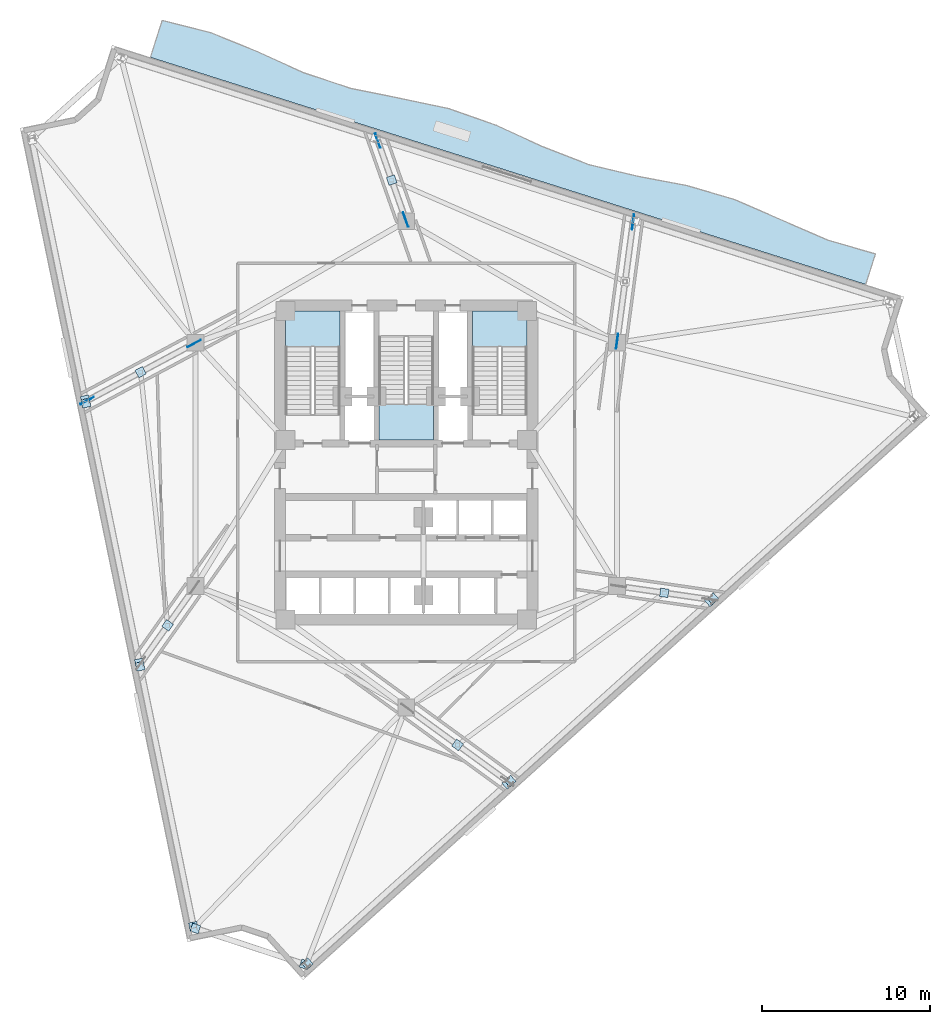
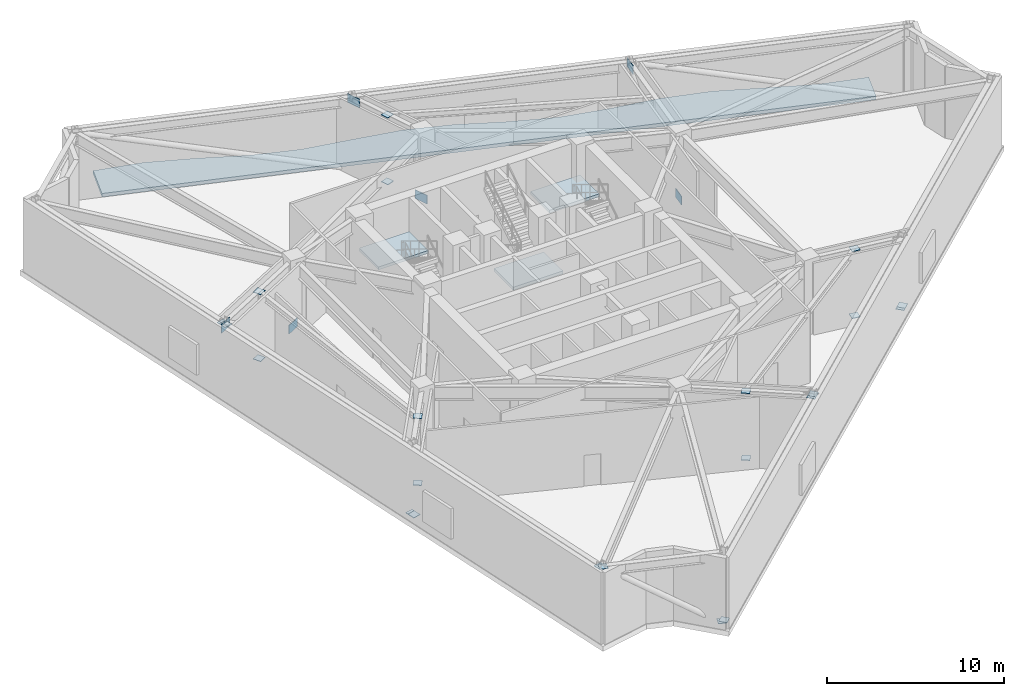
# One storey, part 10 of 16: 28 plates, 4 slabs, 3 elements without a shape of their own.
"""IFC4 building model written with IfcOpenShell, lengths in metres."""

from ifc_helpers import new_model, si_unit, direction, frame, origin, origin_2d, place, context, subcontext, project, spatial, polyline, rectangle, outline, extrude, material, layer, layer_set, type_object, element, aggregate, save


model = new_model("IFC4")

# Units and contexts
model_context = context("Model", 3, precision=1e-05, world=origin(), true_north=direction((0.0, 1.0)))
body_context = subcontext(model_context, "Body", "Model", "MODEL_VIEW")
ifc_project = project(units=[si_unit("LENGTHUNIT", "METRE"), si_unit("AREAUNIT", "SQUARE_METRE"), si_unit("VOLUMEUNIT", "CUBIC_METRE"), si_unit("PLANEANGLEUNIT", "RADIAN"), si_unit("MASSUNIT", "GRAM", prefix="KILO")], contexts=[model_context])

# Site, building, storey
site_placement = place(None, origin())
site = spatial("IfcSite", under=ifc_project, at=site_placement, CompositionType="ELEMENT")
building_placement = place(site_placement, origin())
building = spatial("IfcBuilding", under=site, at=building_placement, Name="Apsidion Concourse Tower", CompositionType="ELEMENT")
storey_placement = place(building_placement, frame((0.0, 0.0, 227.0)))
storey = spatial("IfcBuildingStorey", under=building, at=storey_placement, Name="L53", CompositionType="ELEMENT", Elevation=227.0)

# Plates
ifc_material_1 = material(Name="Structural steel ASTM A572 Grade 50", Category="steel")
ifc_layer_1 = layer(ifc_material_1, 0.034912109375)
ifc_layer_set_1 = layer_set([ifc_layer_1], Name="Structural steel ASTM A572 Grade 50")
plate_type_1 = type_object("IfcPlateType", Name="PL-ENDCAP-35", PredefinedType="USERDEFINED", material=ifc_layer_set_1)
for number, where, z_axis, x_axis, name in (
    (1, (-14.224365234375, -9.596923828125, 0.22265625), (0.0, 0.0, 1.0), (0.578427255041, 0.815733970499, 0.0), "L53 Outrigger Strut Base End-Cap Plate CAPA-01"),
    (2, (-14.224365234375, -9.596923828125, 4.83251953125), (0.0, 0.0, 1.0), (0.578427255041, 0.815733970499, 0.0), "L53 Outrigger Strut Top End-Cap Plate CAPB-01"),
    (3, (15.385498046875, -7.65966796875, 0.22265625), (0.0, 0.0, 1.0), (-0.98965138682, 0.143492621991, 0.0), "L53 Outrigger Strut Base End-Cap Plate CAPA-02"),
    (4, (15.385498046875, -7.65966796875, 4.83251953125), (0.0, 0.0, 1.0), (-0.98965138682, 0.143492621991, 0.0), "L53 Outrigger Strut Top End-Cap Plate CAPB-02"),
    (5, (-0.86669921875, 16.9501953125, 0.22265625), (0.0, 0.0, 1.0), (-0.33347779495, 0.942757954236, 0.0), "L53 Outrigger Strut Base End-Cap Plate CAPA-04"),
    (6, (-0.86669921875, 16.9501953125, 4.83251953125), (0.0, 0.0, 1.0), (-0.33347779495, 0.942757954236, 0.0), "L53 Outrigger Strut Top End-Cap Plate CAPB-04"),
    (7, (-15.83642578125, 5.500732421875, 0.22265625), (0.0, 0.0, 1.0), (0.882126866018, 0.471011881219, 0.0), "L53 Outrigger Strut Base End-Cap Plate CAPA-05"),
    (8, (-15.83642578125, 5.500732421875, 4.83251953125), (0.0, 0.0, 1.0), (0.882126866018, 0.471011881219, 0.0), "L53 Outrigger Strut Top End-Cap Plate CAPB-05"),
    (9, (3.060791015625, -16.7275390625, 0.22265625), (0.0, 0.0, 1.0), (-0.808606445738, 0.588349909417, 0.0), "L53 Outrigger Strut Base End-Cap Plate CAPA-06"),
    (10, (3.060791015625, -16.7275390625, 4.83251953125), (0.0, 0.0, 1.0), (-0.808606445738, 0.588349909417, 0.0), "L53 Outrigger Strut Top End-Cap Plate CAPB-06"),
    (11, (-19.133056640625, 3.849365234375, 4.83251953125), (0.0, 0.0, 1.0), (-0.201248886216, 0.979540139962, 0.0), "L53 Belt-Truss Top End Plate BTP-01B"),
    (12, (-15.90869140625, -11.845703125, 0.1025390625), (0.0, 0.0, 1.0), (-0.201248886216, 0.979540139962, 0.0), "L53 Belt-Truss Base End Plate BTP-02A"),
    (13, (-19.0927734375, 3.6533203125, 4.83251953125), (0.0, 0.0, 1.0), (-0.201248886216, 0.979540139962, 0.0), "L53 Belt-Truss Top End Plate BTP-02B"),
    (14, (-15.86865234375, -12.041748046875, 0.1025390625), (0.0, 0.0, 1.0), (-0.201248886216, 0.979540139962, 0.0), "L53 Belt-Truss Base End Plate BTP-03A"),
    (15, (-12.6845703125, -27.541015625, 4.83251953125), (0.0, 0.0, 1.0), (-0.201248886216, 0.979540139962, 0.0), "L53 Belt-Truss Top End Plate BTP-03B"),
    (16, (-6.0625, -29.80908203125, 0.1025390625), (0.0, 0.0, 1.0), (-0.949972051525, 0.312334918512, 0.0), "L53 Belt-Truss Base End Plate BTP-04A"),
    (17, (-12.5693359375, -27.67041015625, 4.83251953125), (0.0, 0.0, 1.0), (-0.949972051525, 0.312334918512, 0.0), "L53 Belt-Truss Top End Plate BTP-04B"),
    (18, (-5.893310546875, -29.773193359375, 0.1025390625), (0.0, 0.0, 1.0), (0.743144825477, 0.669130606359, 0.0), "L53 Belt-Truss Base End Plate BTP-05A"),
    (19, (6.047607421875, -19.021728515625, 4.83251953125), (0.0, 0.0, 1.0), (0.743144825477, 0.669130606359, 0.0), "L53 Belt-Truss Top End Plate BTP-05B"),
    (20, (18.136962890625, -8.136474609375, 0.1025390625), (0.0, 0.0, 1.0), (0.743144825477, 0.669130606359, 0.0), "L53 Belt-Truss Base End Plate BTP-06A"),
    (21, (6.196044921875, -18.887939453125, 4.83251953125), (0.0, 0.0, 1.0), (0.743144825477, 0.669130606359, 0.0), "L53 Belt-Truss Top End Plate BTP-06B"),
    (22, (18.285400390625, -8.002685546875, 0.1025390625), (0.0, 0.0, 1.0), (0.743144825477, 0.669130606359, 0.0), "L53 Belt-Truss Base End Plate BTP-07A"),
):
    element("IfcPlate", number, at=place(storey_placement, frame(where, z_axis=z_axis, x_axis=x_axis)), inside=storey, type_object=plate_type_1, Name=name, ObjectType="FLANGE_PLATE", PredefinedType="USERDEFINED", context=body_context, shape_type="SweptSolid", body=[
        extrude(rectangle(XDim=0.5, YDim=0.5, at=origin_2d()), origin(), (0.0, 0.0, 1.0), 0.034912109375),
    ])
ifc_layer_2 = layer(ifc_material_1, 0.0400390625)
ifc_layer_set_2 = layer_set([ifc_layer_2], Name="Structural steel ASTM A572 Grade 50")
plate_type_2 = type_object("IfcPlateType", Name="PL-GUSSET-40", PredefinedType="SHEET", material=ifc_layer_set_2)
for number, where, z_axis, x_axis, name in (
    (23, (12.5732421875, 7.34912109375, 0.02001953125), (0.0, 0.0, 1.0), (0.132948356962, 0.991122966327, 0.0), "L53 Outrigger Inner Node Gusset Plate ONA-03"),
    (24, (13.52587890625, 14.4541015625, 4.369873046875), (0.0, 0.0, 1.0), (0.132948356962, 0.991122966327, 0.0), "L53 Outrigger Outer Node Gusset Plate ONB-03"),
    (25, (-0.033203125, 14.59423828125, 0.02001953125), (0.0, 0.0, 1.0), (-0.33347779495, 0.942757954236, 0.0), "L53 Outrigger Inner Node Gusset Plate ONA-04"),
    (26, (-1.69970703125, 19.30615234375, 4.369873046875), (0.0, 0.0, 1.0), (-0.33347779495, 0.942757954236, 0.0), "L53 Outrigger Outer Node Gusset Plate ONB-04"),
    (27, (-12.648193359375, 7.202880859375, 0.02001953125), (0.0, 0.0, 1.0), (0.882126866018, 0.471011881219, 0.0), "L53 Outrigger Inner Node Gusset Plate ONA-05"),
    (28, (-19.024658203125, 3.798583984375, 4.369873046875), (0.0, 0.0, 1.0), (0.882126866018, 0.471011881219, 0.0), "L53 Outrigger Outer Node Gusset Plate ONB-05"),
):
    element("IfcPlate", number, at=place(storey_placement, frame(where, z_axis=z_axis, x_axis=x_axis)), inside=storey, type_object=plate_type_2, Name=name, PredefinedType="SHEET", context=body_context, shape_type="SweptSolid", body=[
        extrude(rectangle(XDim=0.89990234375, YDim=0.0400390625, at=origin_2d()), origin(), (0.0, 0.0, 1.0), 0.60009765625),
    ])

# Stair, slab
ifc_material_2 = material(Name="Precast concrete C40/50", Category="concrete")
stair_type = type_object("IfcStairType", Name="ST-DL-1550", PredefinedType="HALF_TURN_STAIR", material=ifc_material_2)
stair_1_placement = place(storey_placement, origin())
stair_1 = element("IfcStair", 29, at=stair_1_placement, inside=storey, type_object=stair_type, Name="L53 Protected Core Exit Stair ST1", PredefinedType="HALF_TURN_STAIR")
ifc_material_3 = material(Name="Concrete C50/60", Category="concrete")
ifc_layer_3 = layer(ifc_material_3, 0.199951171875)
ifc_layer_set_3 = layer_set([ifc_layer_3], Name="Concrete C50/60")
slab_type_1 = type_object("IfcSlabType", Name="SL-ST-LAND-200", PredefinedType="LANDING", material=ifc_layer_set_3)
slab_1_placement = place(storey_placement, frame((0.0, 0.0, 2.39990234375)))
slab_1 = element("IfcSlab", 30, at=slab_1_placement, type_object=slab_type_1, Name="ST1 landing 1", PredefinedType="LANDING", context=body_context, shape_type="SweptSolid", body=[
    extrude(outline(polyline([(-3.949951171875, 6.989990234375), (-3.949951171875, 9.14990234375), (-7.199951171875, 9.14990234375), (-7.199951171875, 6.989990234375), (-3.949951171875, 6.989990234375)])), origin(), (0.0, 0.0, 1.0), 0.2001953125),
])
aggregate(stair_1, [slab_1])

stair_2_placement = place(storey_placement, origin())
stair_2 = element("IfcStair", 31, at=stair_2_placement, inside=storey, type_object=stair_type, Name="L53 Protected Core Exit Stair ST2", PredefinedType="HALF_TURN_STAIR")
slab_2_placement = place(storey_placement, frame((0.0, 0.0, 2.39990234375)))
slab_2 = element("IfcSlab", 32, at=slab_2_placement, type_object=slab_type_1, Name="ST2 landing 1", PredefinedType="LANDING", context=body_context, shape_type="SweptSolid", body=[
    extrude(outline(polyline([(7.199951171875, 6.989990234375), (7.199951171875, 9.14990234375), (3.949951171875, 9.14990234375), (3.949951171875, 6.989990234375), (7.199951171875, 6.989990234375)])), origin(), (0.0, 0.0, 1.0), 0.2001953125),
])
aggregate(stair_2, [slab_2])

stair_3_placement = place(storey_placement, origin())
stair_3 = element("IfcStair", 33, at=stair_3_placement, inside=storey, type_object=stair_type, Name="L53 Protected Core Exit Stair ST3", PredefinedType="HALF_TURN_STAIR")
slab_3_placement = place(storey_placement, frame((0.0, 0.0, 2.39990234375)))
slab_3 = element("IfcSlab", 34, at=slab_3_placement, type_object=slab_type_1, Name="ST3 landing 1", PredefinedType="LANDING", context=body_context, shape_type="SweptSolid", body=[
    extrude(outline(polyline([(-1.625, 3.610107421875), (-1.625, 1.449951171875), (1.625, 1.449951171875), (1.625, 3.610107421875), (-1.625, 3.610107421875)])), origin(), (0.0, 0.0, 1.0), 0.2001953125),
])
aggregate(stair_3, [slab_3])

# Slab
ifc_layer_4 = layer(ifc_material_3, 0.239990234375)
ifc_layer_set_4 = layer_set([ifc_layer_4], Name="Concrete C50/60")
slab_type_2 = type_object("IfcSlabType", Name="SL-TERR-240", PredefinedType="ROOF", material=ifc_layer_set_4)
slab_4_placement = place(storey_placement, frame((0.0, 0.0, -0.239990234375)))
element("IfcSlab", 35, at=slab_4_placement, inside=storey, type_object=slab_type_2, Name="L53 Face 3 Spiral Sky-Terrace Slab", PredefinedType="ROOF", context=body_context, shape_type="SweptSolid", body=[
    extrude(outline(polyline([(27.39599609375, 10.727294921875), (24.552978515625, 11.63037109375), (21.7099609375, 12.533447265625), (18.86669921875, 13.436279296875), (16.023681640625, 14.33935546875), (13.1806640625, 15.2421875), (10.337646484375, 16.145263671875), (7.49462890625, 17.04833984375), (4.651611328125, 17.951416015625), (1.80859375, 18.854248046875), (-1.03466796875, 19.75732421875), (-3.877685546875, 20.660400390625), (-6.720703125, 21.563232421875), (-9.563720703125, 22.46630859375), (-12.40673828125, 23.369140625), (-15.25, 24.272216796875), (-14.55078125, 26.4736328125), (-11.654052734375, 25.739013671875), (-8.882080078125, 24.6123046875), (-6.147705078125, 23.3671875), (-3.318115234375, 22.421630859375), (-0.376953125, 21.827880859375), (2.555908203125, 21.2080078125), (5.37060546875, 20.2158203125), (8.101806640625, 18.96044921875), (10.88623046875, 17.87255859375), (13.79541015625, 17.17822265625), (16.748779296875, 16.622314453125), (19.611328125, 15.780517578125), (22.359375, 14.578125), (25.10888671875, 13.381103515625), (27.974609375, 12.548583984375), (27.39599609375, 10.727294921875)])), origin(), (0.0, 0.0, 1.0), 0.239990234375),
])

save(model, "model.ifc")
